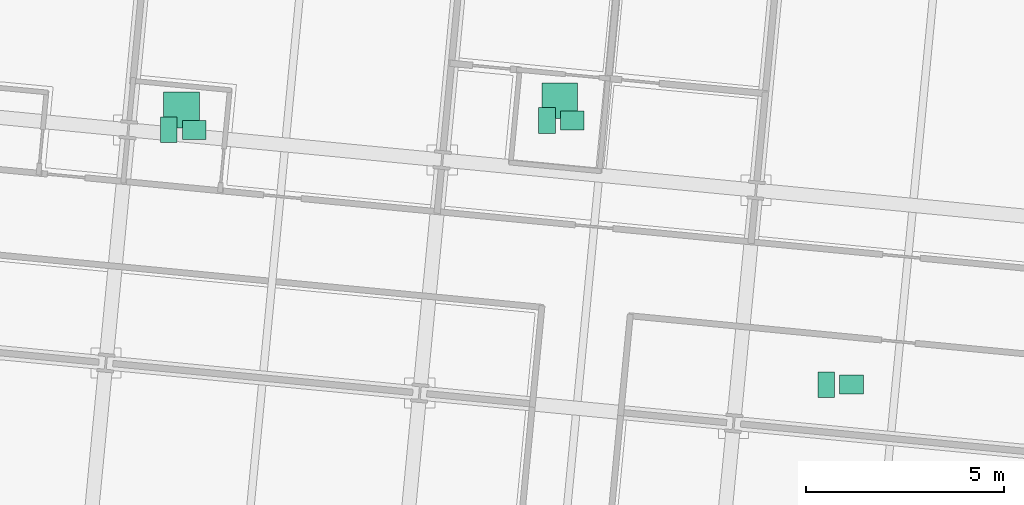
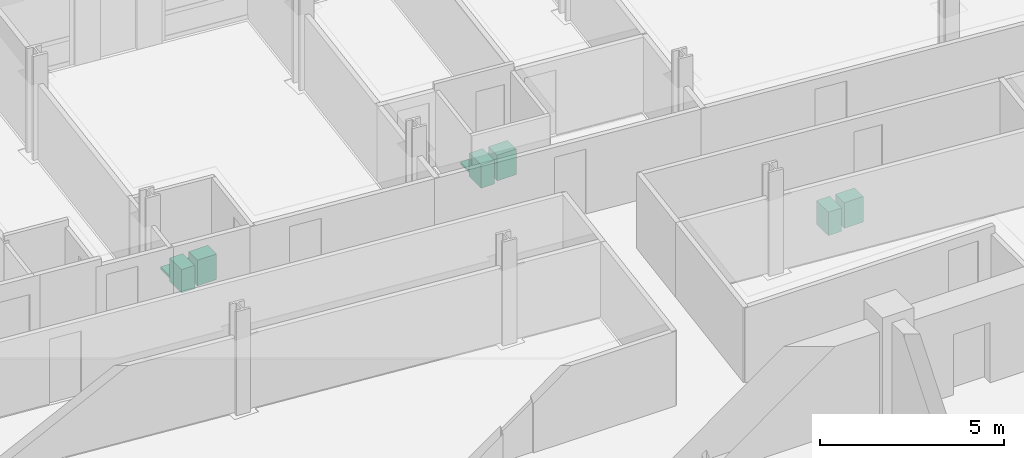
# One storey, part 17 of 17: 8 sanitary terminals.
"""IFC4 building model written with IfcOpenShell, lengths in metres."""

from ifc_helpers import new_model, si_unit, direction, frame, origin, origin_2d, place, context, subcontext, project, spatial, rectangle, extrude, material, type_object, element, save


model = new_model("IFC4")

# Units and contexts
model_context = context("Model", 3, precision=1e-05, world=origin(), true_north=direction((0.0, 1.0)))
body_context = subcontext(model_context, "Body", "Model", "MODEL_VIEW")
ifc_project = project(units=[si_unit("LENGTHUNIT", "METRE"), si_unit("AREAUNIT", "SQUARE_METRE"), si_unit("VOLUMEUNIT", "CUBIC_METRE"), si_unit("PLANEANGLEUNIT", "RADIAN"), si_unit("MASSUNIT", "GRAM", prefix="KILO")], contexts=[model_context])

# Site, building, storey
site_placement = place(None, origin())
site = spatial("IfcSite", under=ifc_project, at=site_placement, CompositionType="ELEMENT")
building_placement = place(site_placement, origin())
building = spatial("IfcBuilding", under=site, at=building_placement, Name="Solmavex Isthmus Hotel", CompositionType="ELEMENT")
storey_placement = place(building_placement, frame((0.0, 0.0, 156.60009765625)))
storey = spatial("IfcBuildingStorey", under=building, at=storey_placement, Name="L42", CompositionType="ELEMENT", Elevation=156.60009765625)

# Sanitary terminals
ifc_material = material(Name="Vitreous china ceramic", Category="ceramic")
sanitary_terminal_type_1 = type_object("IfcSanitaryTerminalType", Name="SAN-BASIN", PredefinedType="WASHHANDBASIN", material=ifc_material)
for number, where, z_axis, x_axis, name in (
    (1, (-5.688720703125, 12.1337890625, -0.000244140625), (0.0, 0.0, 1.0), (1.0, 0.0, 0.0), "Vanity Washbasin L42-200"),
    (2, (3.849609375, 12.36669921875, -0.000244140625), (0.0, 0.0, 1.0), (1.0, 0.0, 0.0), "Vanity Washbasin L42-201"),
    (3, (10.895263671875, 5.702880859375, -0.000244140625), (0.0, 0.0, 1.0), (1.0, 0.0, 0.0), "Vanity Washbasin L42-202"),
):
    element("IfcSanitaryTerminal", number, at=place(storey_placement, frame(where, z_axis=z_axis, x_axis=x_axis)), inside=storey, type_object=sanitary_terminal_type_1, Name=name, PredefinedType="WASHHANDBASIN", context=body_context, shape_type="SweptSolid", body=[
        extrude(rectangle(XDim=0.60009765625, YDim=0.47998046875, at=origin_2d()), origin(), (0.0, 0.0, 1.0), 0.85009765625),
    ])
sanitary_terminal_type_2 = type_object("IfcSanitaryTerminalType", Name="SAN-SHOWER", PredefinedType="SHOWER", material=ifc_material)
for number, where, z_axis, x_axis, name in (
    (4, (-6.0087890625, 12.6337890625, -0.000244140625), (0.0, 0.0, 1.0), (1.0, 0.0, 0.0), "Walk-In Shower L42-200"),
    (5, (3.529541015625, 12.86669921875, -0.000244140625), (0.0, 0.0, 1.0), (1.0, 0.0, 0.0), "Walk-In Shower L42-201"),
):
    element("IfcSanitaryTerminal", number, at=place(storey_placement, frame(where, z_axis=z_axis, x_axis=x_axis)), inside=storey, type_object=sanitary_terminal_type_2, Name=name, PredefinedType="SHOWER", context=body_context, shape_type="SweptSolid", body=[
        extrude(rectangle(XDim=0.89990234375, YDim=0.89990234375, at=origin_2d()), origin(), (0.0, 0.0, 1.0), 0.080078125),
    ])
sanitary_terminal_type_3 = type_object("IfcSanitaryTerminalType", Name="SAN-WC-SUITE", PredefinedType="TOILETPAN", material=ifc_material)
for number, where, z_axis, x_axis, name in (
    (6, (-6.328857421875, 12.1337890625, 0.0), (0.0, 0.0, 1.0), (1.0, 0.0, 0.0), "Water Closet L42-200"),
    (7, (3.209716796875, 12.36669921875, 0.0), (0.0, 0.0, 1.0), (1.0, 0.0, 0.0), "Water Closet L42-201"),
    (8, (10.25537109375, 5.702880859375, 0.0), (0.0, 0.0, 1.0), (1.0, 0.0, 0.0), "Water Closet L42-202"),
):
    element("IfcSanitaryTerminal", number, at=place(storey_placement, frame(where, z_axis=z_axis, x_axis=x_axis)), inside=storey, type_object=sanitary_terminal_type_3, Name=name, PredefinedType="TOILETPAN", context=body_context, shape_type="SweptSolid", body=[
        extrude(rectangle(XDim=0.419921875, YDim=0.64990234375, at=origin_2d()), origin(), (0.0, 0.0, 1.0), 0.780029296875),
    ])

save(model, "model.ifc")
